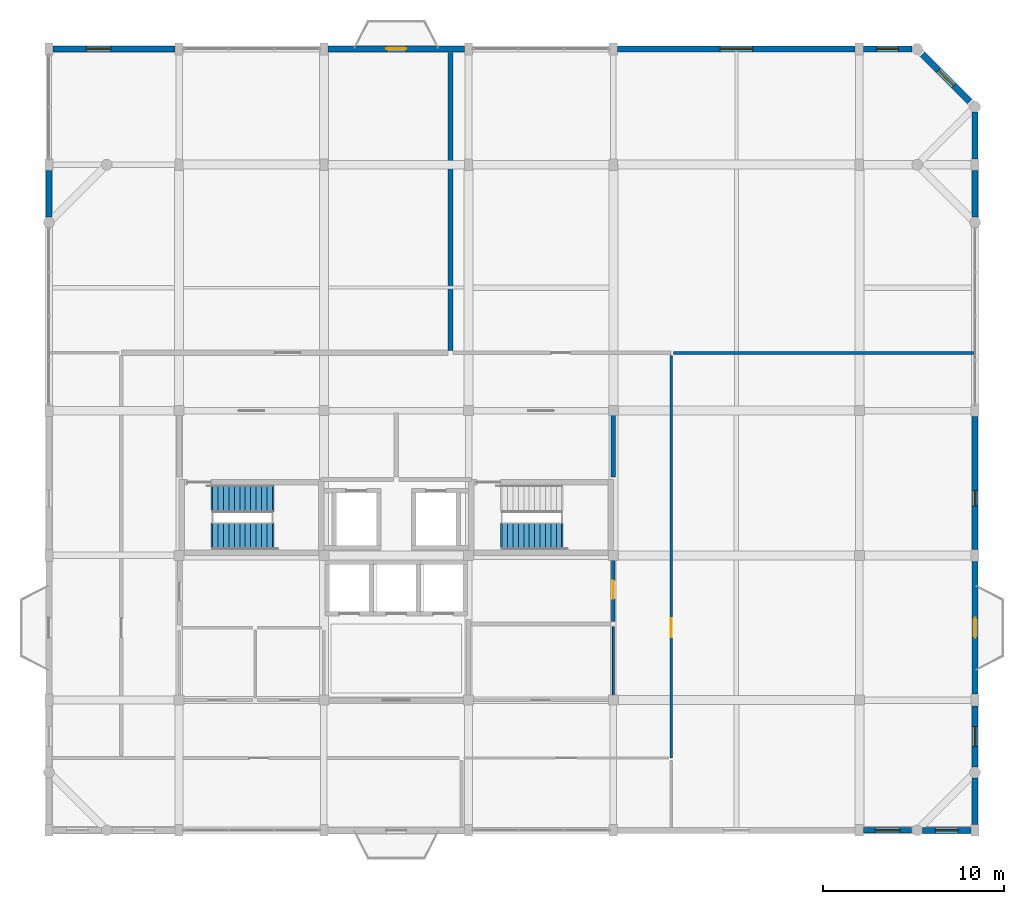
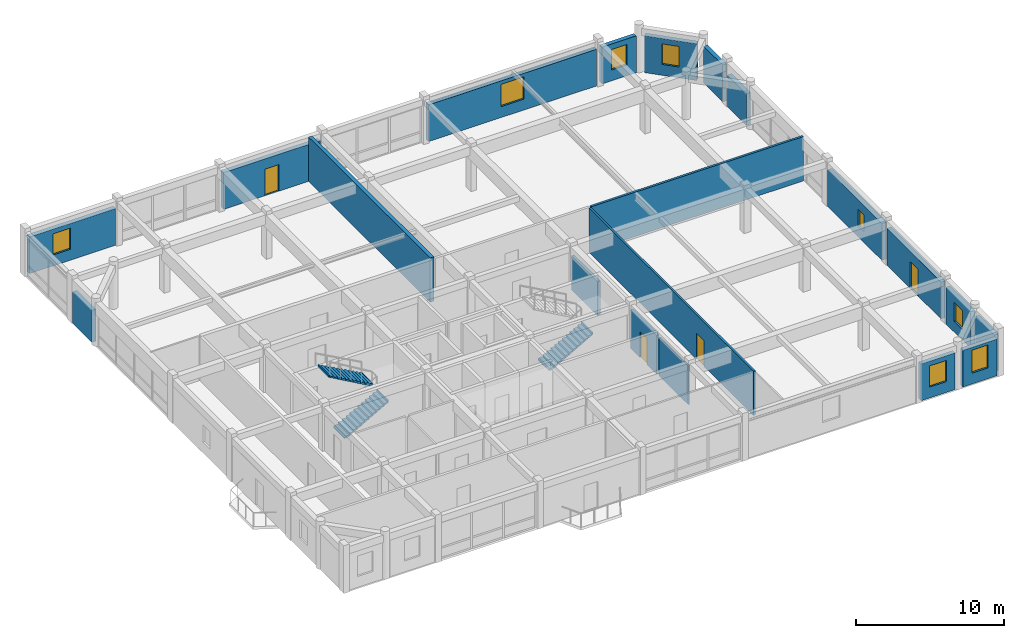
# One storey, part 11 of 13: 20 walls, 8 windows, 4 doors, 3 stair flights, 12 openings, 2 elements without a shape of their own.
"""IFC4 building model written with IfcOpenShell, lengths in metres."""

import ifcopenshell
import ifcopenshell.guid

model = None  # the IFC model being written
_history = None  # IfcOwnerHistory: only IFC2X3 demands one
_inside = {}  # id of a spatial element -> (the spatial element, [elements in it])
_under = {}  # id of a project, library or spatial element -> (it, [spatial elements below it])
_declared = {}  # id of a project -> (the project, [libraries it declares])
_typed = {}  # id of a type object -> (the type object, [elements of that type])
_made_of = {}  # id of a material, layer set ... -> (it, [elements and type objects made of it])


def new_model(schema):
    """Start an empty IFC model of exactly this schema.

    Asked for "IFC4X3", IfcOpenShell would pick the latest addendum, in which some entities
    have other attributes; the version numbers below select the first issue.
    IFC2X3 requires an IfcOwnerHistory on every rooted entity: one is made here for all.
    """
    global model, _history
    if schema == "IFC4X3":
        model = ifcopenshell.file(schema_version=(4, 3, 0, 0))
    else:
        model = ifcopenshell.file(schema=schema)
    _inside.clear()
    _under.clear()
    _declared.clear()
    _typed.clear()
    _made_of.clear()
    _history = None
    if model.schema == "IFC2X3":
        org = make("IfcOrganization", Name="unknown")
        user = make(
            "IfcPersonAndOrganization",
            ThePerson=make("IfcPerson", FamilyName="unknown"),
            TheOrganization=org,
        )
        app = make(
            "IfcApplication",
            ApplicationDeveloper=org,
            Version="unknown",
            ApplicationFullName="unknown",
            ApplicationIdentifier="unknown",
        )
        _history = make(
            "IfcOwnerHistory",
            OwningUser=user,
            OwningApplication=app,
            ChangeAction="ADDED",
            CreationDate=0,
        )
    return model


def make(cls, **values):
    """One entity of the class cls with the attributes given. An attribute that is None is left unset."""
    return model.create_entity(
        cls, **{name: value for name, value in values.items() if value is not None}
    )


def rooted(cls, **values):
    """An entity with a GlobalId (a new one), such as an element, a storey or a relation."""
    return make(cls, GlobalId=ifcopenshell.guid.new(), OwnerHistory=_history, **values)


def si_unit(unit_type, name, prefix=None):
    """IfcSIUnit, for example si_unit("LENGTHUNIT", "METRE", prefix="MILLI")."""
    return make("IfcSIUnit", UnitType=unit_type, Prefix=prefix, Name=name)


def assignment(units):
    """IfcUnitAssignment: the units of a project."""
    return None if units is None else make("IfcUnitAssignment", Units=units)


def point(xyz):
    """IfcCartesianPoint."""
    return None if xyz is None else make("IfcCartesianPoint", Coordinates=xyz)


def direction(xyz):
    """IfcDirection."""
    return None if xyz is None else make("IfcDirection", DirectionRatios=xyz)


def frame(location, z_axis=None, x_axis=None):
    """IfcAxis2Placement3D, a coordinate frame: its origin and axes. An axis left out is left unset."""
    return make(
        "IfcAxis2Placement3D",
        Location=point(location),
        Axis=direction(z_axis),
        RefDirection=direction(x_axis),
    )


def frame_2d(location, x_axis=None):
    """IfcAxis2Placement2D, a coordinate frame in the plane: its origin and x axis."""
    return make(
        "IfcAxis2Placement2D", Location=point(location), RefDirection=direction(x_axis)
    )


def origin():
    """The frame at (0, 0, 0) with its axes left unset."""
    return frame((0.0, 0.0, 0.0))


def place(relative_to, where):
    """IfcLocalPlacement: puts the frame where relative to a parent placement (None: the world)."""
    return make(
        "IfcLocalPlacement", PlacementRelTo=relative_to, RelativePlacement=where
    )


def context(
    kind, dimensions, precision=None, world=None, true_north=None, identifier=None
):
    """IfcGeometricRepresentationContext, for example the 3D "Model" context."""
    return make(
        "IfcGeometricRepresentationContext",
        ContextIdentifier=identifier,
        ContextType=kind,
        CoordinateSpaceDimension=dimensions,
        Precision=precision,
        WorldCoordinateSystem=world,
        TrueNorth=true_north,
    )


def subcontext(parent, identifier, kind, view, scale=None):
    """IfcGeometricRepresentationSubContext, for example "Body" below "Model"."""
    return make(
        "IfcGeometricRepresentationSubContext",
        ContextIdentifier=identifier,
        ContextType=kind,
        ParentContext=parent,
        TargetScale=scale,
        TargetView=view,
    )


def project(units=None, contexts=None):
    """IfcProject with its units and contexts."""
    return rooted(
        "IfcProject",
        Name="project",
        RepresentationContexts=contexts,
        UnitsInContext=assignment(units),
    )


def spatial(cls, under=None, at=None, **own):
    """A site, building, storey or space (cls), placed at a placement, below another one or the project."""
    s = rooted(cls, ObjectPlacement=at, **own)
    if under is not None:
        _under.setdefault(under.id(), (under, []))[1].append(s)
    return s


def polyline(points):
    """IfcPolyline through the points."""
    return make("IfcPolyline", Points=[point(p) for p in points])


def profile(cls, at=None, kind="AREA", **sizes):
    """A parametric profile (cls). Its sizes go by their IFC names, for example OverallWidth=200.0."""
    return make(cls, ProfileType=kind, Position=at, **sizes)


def rectangle(**sizes):
    """IfcRectangleProfileDef."""
    return profile("IfcRectangleProfileDef", **sizes)


def outline(outer, holes=None, kind="AREA"):
    """IfcArbitraryClosedProfileDef: a profile drawn as a closed curve; with holes, ...WithVoids."""
    if holes is None:
        return make("IfcArbitraryClosedProfileDef", ProfileType=kind, OuterCurve=outer)
    return make(
        "IfcArbitraryProfileDefWithVoids",
        ProfileType=kind,
        OuterCurve=outer,
        InnerCurves=holes,
    )


def extrude(swept, where, along, depth):
    """IfcExtrudedAreaSolid: the profile swept, set in the frame where, extruded along a direction by depth."""
    return make(
        "IfcExtrudedAreaSolid",
        SweptArea=swept,
        Position=where,
        ExtrudedDirection=direction(along),
        Depth=depth,
    )


def shape(context_of_items, identifier, shape_type, items):
    """IfcShapeRepresentation: the items that make up one representation, for example the "Body"."""
    return make(
        "IfcShapeRepresentation",
        ContextOfItems=context_of_items,
        RepresentationIdentifier=identifier,
        RepresentationType=shape_type,
        Items=items,
    )


def material(Name=None, Category=None):
    """IfcMaterial."""
    return make("IfcMaterial", Name=Name, Category=Category)


def layer(
    of_material, thickness, ventilated=None, Name=None, Category=None, Priority=None
):
    """IfcMaterialLayer: one layer of a wall or slab, of a material (None: an air gap)."""
    return make(
        "IfcMaterialLayer",
        Material=of_material,
        LayerThickness=thickness,
        IsVentilated=ventilated,
        Name=Name,
        Category=Category,
        Priority=Priority,
    )


def layer_set(layers, Name=None):
    """IfcMaterialLayerSet."""
    return make("IfcMaterialLayerSet", MaterialLayers=layers, LayerSetName=Name)


def made_of(thing, what):
    """Note that an element or type object is made of a material, layer set ...; save() writes the relation."""
    if what is not None:
        _made_of.setdefault(what.id(), (what, []))[1].append(thing)
    return thing


def type_object(cls, material=None, **own):
    """A type object (cls), such as IfcWallType, which elements share."""
    return made_of(rooted(cls, **own), material)


def element(
    cls,
    number,
    at=None,
    inside=None,
    cuts=None,
    type_object=None,
    material=None,
    context=None,
    identifier="Body",
    shape_type=None,
    held_by="IfcProductDefinitionShape",
    body=None,
    shapes=None,
    **own,
):
    """One element of the class cls, such as IfcWall. Its Tag is "e" and its number.

    at: its placement. inside: the storey or other place that contains it. cuts: it is an
    opening in that element (IfcRelVoidsElement). A single representation is given by context,
    identifier, shape_type and body (its items); several are given by shapes. held_by: the class
    of the entity that holds the representations. save() writes the other relations.
    """
    e = rooted(cls, Tag="e%d" % number, ObjectPlacement=at, **own)
    if body is not None:
        shapes = [shape(context, identifier, shape_type, body)]
    if shapes is not None:
        e.Representation = make(held_by, Representations=shapes)
    if inside is not None:
        _inside.setdefault(inside.id(), (inside, []))[1].append(e)
    if cuts is not None:
        rooted(
            "IfcRelVoidsElement", RelatingBuildingElement=cuts, RelatedOpeningElement=e
        )
    if type_object is not None:
        _typed.setdefault(type_object.id(), (type_object, []))[1].append(e)
    return made_of(e, material)


def fill(opening, filler):
    """IfcRelFillsElement: the door or window that sits in an opening."""
    return rooted(
        "IfcRelFillsElement",
        RelatingOpeningElement=opening,
        RelatedBuildingElement=filler,
    )


def aggregate(whole, parts):
    """IfcRelAggregates: a whole, such as a stair, and the parts it consists of."""
    return rooted("IfcRelAggregates", RelatingObject=whole, RelatedObjects=parts)


def save(model, path):
    """Write the relations noted so far, then the file.

    IfcRelAggregates (storeys below a building ...), IfcRelContainedInSpatialStructure (elements
    in a storey), IfcRelDefinesByType, IfcRelAssociatesMaterial and IfcRelDeclares: one each for
    every whole, place, type object, material and project.
    """
    for whole, parts in _under.values():
        aggregate(whole, parts)
    for where, things in _inside.values():
        rooted(
            "IfcRelContainedInSpatialStructure",
            RelatedElements=things,
            RelatingStructure=where,
        )
    for kind, things in _typed.values():
        rooted("IfcRelDefinesByType", RelatedObjects=things, RelatingType=kind)
    for what, things in _made_of.values():
        rooted("IfcRelAssociatesMaterial", RelatedObjects=things, RelatingMaterial=what)
    for by, libraries in _declared.values():
        rooted("IfcRelDeclares", RelatingContext=by, RelatedDefinitions=libraries)
    model.write(path)


model = new_model("IFC4")

# Units and contexts
model_context = context("Model", 3, precision=1e-05, world=origin(), true_north=direction((0.0, 1.0)))
body_context = subcontext(model_context, "Body", "Model", "MODEL_VIEW")
ifc_project = project(units=[si_unit("LENGTHUNIT", "METRE"), si_unit("AREAUNIT", "SQUARE_METRE"), si_unit("VOLUMEUNIT", "CUBIC_METRE"), si_unit("PLANEANGLEUNIT", "RADIAN"), si_unit("MASSUNIT", "GRAM", prefix="KILO")], contexts=[model_context])

# Site, building, storey
site_placement = place(None, origin())
site = spatial("IfcSite", under=ifc_project, at=site_placement, CompositionType="ELEMENT")
building_placement = place(site_placement, origin())
building = spatial("IfcBuilding", under=site, at=building_placement, Name="Vellmiral Cinema and Media Centre", CompositionType="ELEMENT")
storey_placement = place(building_placement, frame((0.0, 0.0, 58.699951171875)))
storey = spatial("IfcBuildingStorey", under=building, at=storey_placement, Name="L14", CompositionType="ELEMENT", Elevation=58.699951171875)

# Wall
ifc_material_1 = material(Name="Calcium-Silicate Masonry Blockwork", Category="masonry")
ifc_layer_1 = layer(ifc_material_1, 0.10009765625, Name="Calcium-Silicate Masonry Blockwork", Category="masonry")
ifc_material_2 = material(Name="Mineral Wool Acoustic Insulation", Category="insulation")
ifc_layer_2 = layer(ifc_material_2, 0.090087890625, Name="Mineral Wool Acoustic Insulation", Category="insulation")
ifc_layer_3 = layer(ifc_material_1, 0.10009765625, Name="Calcium-Silicate Masonry Blockwork", Category="masonry")
ifc_layer_set_1 = layer_set([ifc_layer_1, ifc_layer_2, ifc_layer_3], Name="Calcium-Silicate Masonry Blockwork")
wall_type_1 = type_object("IfcWallType", Name="WL-AC-290", PredefinedType="SOLIDWALL", material=ifc_layer_set_1)
wall_1_placement = place(storey_placement, frame((139.0, 98.5400390625, 0.0), z_axis=(0.0, 0.0, 1.0), x_axis=(0.0, 1.0, 0.0)))
element("IfcWall", 1, at=wall_1_placement, inside=storey, type_object=wall_type_1, Name="Executive Documentary Screening Room Wall E", PredefinedType="SOLIDWALL", context=body_context, shape_type="SweptSolid", body=[
    extrude(rectangle(XDim=16.474853515625, YDim=0.2900390625, at=frame_2d((8.2373046875, 0.0))), origin(), (0.0, 0.0, 1.0), 3.670166015625),
])

# Wall, opening, door
ifc_material_3 = material(Name="Concrete C40/50", Category="concrete")
ifc_layer_4 = layer(ifc_material_3, 0.2099609375, Name="Concrete C40/50")
ifc_layer_set_2 = layer_set([ifc_layer_4], Name="Concrete C40/50")
wall_type_2 = type_object("IfcWallType", Name="WL-COMP-210", PredefinedType="SOLIDWALL", material=ifc_layer_set_2)
wall_2_placement = place(storey_placement, frame((148.0, 83.5400390625, 0.0), z_axis=(0.0, 0.0, 1.0), x_axis=(0.0, 1.0, 0.0)))
wall_2 = element("IfcWall", 2, at=wall_2_placement, inside=storey, type_object=wall_type_2, Name="Mechanical Smoke Riser Room Wall E", PredefinedType="SOLIDWALL", context=body_context, shape_type="SweptSolid", body=[
    extrude(rectangle(XDim=3.52001953125, YDim=0.2099609375, at=frame_2d((1.760009765625, 0.0))), origin(), (0.0, 0.0, 1.0), 3.195068359375),
])
opening_1_placement = place(wall_2_placement, frame((1.260009765625, 0.0, 0.0)))
opening_1 = element("IfcOpeningElement", 3, at=opening_1_placement, cuts=wall_2, Name="Opening D-FD30B", PredefinedType="OPENING", context=body_context, shape_type="SweptSolid", body=[
    extrude(rectangle(XDim=1.0, YDim=2.14990234375, at=frame_2d((0.5, 1.074951171875))), frame((0.0, 0.116943359375, 0.0), z_axis=(0.0, -1.0, 0.0), x_axis=(1.0, 0.0, 0.0)), (0.0, 0.0, 1.0), 0.23388671875),
])
ifc_material_4 = material(Name="Steel Riser Fire Door", Category="steel")
door_type_1 = type_object("IfcDoorType", Name="DR-FD30-1000x2150", OperationType="NOTDEFINED", PredefinedType="DOOR", material=ifc_material_4)
door_1_placement = place(opening_1_placement, origin())
door_1 = element("IfcDoor", 4, at=door_1_placement, inside=storey, type_object=door_type_1, Name="Mechanical Smoke Riser Room Door", OperationType="SINGLE_SWING_LEFT", OverallHeight=2.14990234375, OverallWidth=1.0, PredefinedType="DOOR", context=body_context, shape_type="SweptSolid", body=[
    extrude(rectangle(XDim=1.0, YDim=2.14990234375, at=frame_2d((0.5, 1.074951171875))), frame((0.0, 0.02490234375, 0.0), z_axis=(0.0, -1.0, 0.0), x_axis=(1.0, 0.0, 0.0)), (0.0, 0.0, 1.0), 0.050048828125),
])
fill(opening_1, door_1)

# Wall, opening, window
ifc_material_5 = material(Name="Polychrome Glazed Ceramic Cladding", Category="masonry")
ifc_layer_5 = layer(ifc_material_5, 0.320068359375, Name="Polychrome Glazed Ceramic Cladding")
ifc_layer_set_3 = layer_set([ifc_layer_5], Name="Polychrome Glazed Ceramic Cladding")
wall_type_3 = type_object("IfcWallType", Name="WL-EXT-BRICK-320", PredefinedType="SOLIDWALL", material=ifc_layer_set_3)
wall_3_placement = place(storey_placement, frame((161.824951171875, 72.0, 0.0), z_axis=(0.0, 0.0, 1.0), x_axis=(1.0, 0.0, 0.0)))
wall_3 = element("IfcWall", 5, at=wall_3_placement, inside=storey, type_object=wall_type_3, Name="Exterior Facade Wall L14-007", PredefinedType="SOLIDWALL", context=body_context, shape_type="SweptSolid", body=[
    extrude(rectangle(XDim=2.675048828125, YDim=0.320068359375, at=frame_2d((1.33740234375, 0.0))), origin(), (0.0, 0.0, 1.0), 3.03515625),
])
opening_2_placement = place(wall_3_placement, frame((0.66259765625, 0.0, 0.89990234375)))
opening_2 = element("IfcOpeningElement", 6, at=opening_2_placement, cuts=wall_3, Name="Opening WN-08", PredefinedType="OPENING", context=body_context, shape_type="SweptSolid", body=[
    extrude(rectangle(XDim=1.35009765625, YDim=1.75, at=frame_2d((0.675048828125, 0.875))), frame((0.0, 0.171875, 0.0), z_axis=(0.0, -1.0, 0.0), x_axis=(1.0, 0.0, 0.0)), (0.0, 0.0, 1.0), 0.343994140625),
])
ifc_material_6 = material(Name="Thermally Broken Aluminium Triple Glazing", Category="aluminium")
window_type_1 = type_object("IfcWindowType", Name="WN-1350x1750", PartitioningType="SINGLE_PANEL", PredefinedType="WINDOW", material=ifc_material_6)
window_1_placement = place(opening_2_placement, origin())
window_1 = element("IfcWindow", 7, at=window_1_placement, inside=storey, type_object=window_type_1, Name="Window L14-007", OverallHeight=1.75, OverallWidth=1.35009765625, PartitioningType="SINGLE_PANEL", PredefinedType="WINDOW", context=body_context, shape_type="SweptSolid", body=[
    extrude(rectangle(XDim=1.35009765625, YDim=1.75, at=frame_2d((0.675048828125, 0.875))), frame((0.0, 0.030029296875, 0.0), z_axis=(0.0, -1.0, 0.0), x_axis=(1.0, 0.0, 0.0)), (0.0, 0.0, 1.0), 0.06005859375),
])
fill(opening_2, window_1)

# Wall
wall_4_placement = place(storey_placement, frame((168.0, 72.324951171875, 0.0), z_axis=(0.0, 0.0, 1.0), x_axis=(0.0, 1.0, 0.0)))
element("IfcWall", 8, at=wall_4_placement, inside=storey, type_object=wall_type_3, Name="Exterior Facade Wall L14-009", PredefinedType="SOLIDWALL", context=body_context, shape_type="SweptSolid", body=[
    extrude(rectangle(XDim=2.574951171875, YDim=0.320068359375, at=frame_2d((1.28759765625, 0.0))), origin(), (0.0, 0.0, 1.0), 3.03515625),
])

# Wall, opening, door
wall_5_placement = place(storey_placement, frame((168.0, 79.52490234375, 0.0), z_axis=(0.0, 0.0, 1.0), x_axis=(0.0, 1.0, 0.0)))
wall_5 = element("IfcWall", 9, at=wall_5_placement, inside=storey, type_object=wall_type_3, Name="Exterior Facade Wall L14-011", PredefinedType="SOLIDWALL", context=body_context, shape_type="SweptSolid", body=[
    extrude(rectangle(XDim=7.35009765625, YDim=0.320068359375, at=frame_2d((3.675048828125, 0.0))), origin(), (0.0, 0.0, 1.0), 3.050048828125),
])
opening_3_placement = place(wall_5_placement, frame((3.125, 0.0, 0.0)))
opening_3 = element("IfcOpeningElement", 10, at=opening_3_placement, cuts=wall_5, Name="Opening DE-06", PredefinedType="OPENING", context=body_context, shape_type="SweptSolid", body=[
    extrude(rectangle(XDim=1.10009765625, YDim=2.199951171875, at=frame_2d((0.550048828125, 1.10009765625))), frame((0.0, 0.171875, 0.0), z_axis=(0.0, -1.0, 0.0), x_axis=(1.0, 0.0, 0.0)), (0.0, 0.0, 1.0), 0.343994140625),
])
ifc_material_7 = material(Name="Thermally Broken Glazed Aluminium and Bronze Door", Category="aluminium")
door_type_2 = type_object("IfcDoorType", Name="DR-MIRA-1100x2200", OperationType="NOTDEFINED", PredefinedType="DOOR", material=ifc_material_7)
door_2_placement = place(opening_3_placement, frame((1.10009765625, 0.0, 0.0), z_axis=(0.0, 0.0, 1.0), x_axis=(-1.0, 0.0, 0.0)))
door_2 = element("IfcDoor", 11, at=door_2_placement, inside=storey, type_object=door_type_2, Name="Mirador Balcony Door L14-E", OperationType="SINGLE_SWING_RIGHT", OverallHeight=2.199951171875, OverallWidth=1.10009765625, PredefinedType="DOOR", context=body_context, shape_type="SweptSolid", body=[
    extrude(rectangle(XDim=1.10009765625, YDim=2.199951171875, at=frame_2d((0.550048828125, 1.10009765625))), frame((0.0, 0.02490234375, 0.0), z_axis=(0.0, -1.0, 0.0), x_axis=(1.0, 0.0, 0.0)), (0.0, 0.0, 1.0), 0.050048828125),
])
fill(opening_3, door_2)

# Wall
wall_6_placement = place(storey_placement, frame((168.0, 109.125, 0.0), z_axis=(0.0, 0.0, 1.0), x_axis=(0.0, 1.0, 0.0)))
element("IfcWall", 12, at=wall_6_placement, inside=storey, type_object=wall_type_3, Name="Exterior Facade Wall L14-015", PredefinedType="SOLIDWALL", context=body_context, shape_type="SweptSolid", body=[
    extrude(rectangle(XDim=2.574951171875, YDim=0.320068359375, at=frame_2d((1.28759765625, 0.0))), origin(), (0.0, 0.0, 1.0), 3.050048828125),
])

# Wall, opening, window
wall_7_placement = place(storey_placement, frame((164.5, 115.199951171875, 0.0), z_axis=(0.0, 0.0, 1.0), x_axis=(-1.0, 0.0, 0.0)))
wall_7 = element("IfcWall", 13, at=wall_7_placement, inside=storey, type_object=wall_type_3, Name="Exterior Facade Wall L14-017", PredefinedType="SOLIDWALL", context=body_context, shape_type="SweptSolid", body=[
    extrude(rectangle(XDim=2.675048828125, YDim=0.320068359375, at=frame_2d((1.33740234375, 0.0))), origin(), (0.0, 0.0, 1.0), 3.050048828125),
])
opening_4_placement = place(wall_7_placement, frame((0.737548828125, 0.0, 0.89990234375)))
opening_4 = element("IfcOpeningElement", 14, at=opening_4_placement, cuts=wall_7, Name="Opening WN-10", PredefinedType="OPENING", context=body_context, shape_type="SweptSolid", body=[
    extrude(rectangle(XDim=1.199951171875, YDim=1.699951171875, at=frame_2d((0.60009765625, 0.85009765625))), frame((0.0, 0.171875, 0.0), z_axis=(0.0, -1.0, 0.0), x_axis=(1.0, 0.0, 0.0)), (0.0, 0.0, 1.0), 0.343994140625),
])
ifc_material_8 = material(Name="Thermally Broken Aluminium Triple Glazing", Category="aluminium")
window_type_2 = type_object("IfcWindowType", Name="WN-1200x1700", PartitioningType="SINGLE_PANEL", PredefinedType="WINDOW", material=ifc_material_8)
window_2_placement = place(opening_4_placement, origin())
window_2 = element("IfcWindow", 15, at=window_2_placement, inside=storey, type_object=window_type_2, Name="Window L14-017", OverallHeight=1.699951171875, OverallWidth=1.199951171875, PartitioningType="SINGLE_PANEL", PredefinedType="WINDOW", context=body_context, shape_type="SweptSolid", body=[
    extrude(rectangle(XDim=1.199951171875, YDim=1.699951171875, at=frame_2d((0.60009765625, 0.85009765625))), frame((0.0, 0.030029296875, 0.0), z_axis=(0.0, -1.0, 0.0), x_axis=(1.0, 0.0, 0.0)), (0.0, 0.0, 1.0), 0.06005859375),
])
fill(opening_4, window_2)

ifc_material_9 = material(Name="Vosges Red Sandstone Masonry", Category="masonry")
ifc_layer_6 = layer(ifc_material_9, 0.340087890625, Name="Vosges Red Sandstone Masonry")
ifc_layer_set_4 = layer_set([ifc_layer_6], Name="Vosges Red Sandstone Masonry")
wall_type_4 = type_object("IfcWallType", Name="WL-EXT-SAND-340", PredefinedType="SOLIDWALL", material=ifc_layer_set_4)
wall_8_placement = place(storey_placement, frame((165.10009765625, 72.0, 0.0), z_axis=(0.0, 0.0, 1.0), x_axis=(1.0, 0.0, 0.0)))
wall_8 = element("IfcWall", 16, at=wall_8_placement, inside=storey, type_object=wall_type_4, Name="Exterior Facade Wall L14-008", PredefinedType="SOLIDWALL", context=body_context, shape_type="SweptSolid", body=[
    extrude(rectangle(XDim=2.6748046875, YDim=0.340087890625, at=frame_2d((1.33740234375, 0.0))), origin(), (0.0, 0.0, 1.0), 3.03515625),
])
opening_5_placement = place(wall_8_placement, frame((0.71240234375, 0.0, 0.89990234375)))
opening_5 = element("IfcOpeningElement", 17, at=opening_5_placement, cuts=wall_8, Name="Opening WN-09", PredefinedType="OPENING", context=body_context, shape_type="SweptSolid", body=[
    extrude(rectangle(XDim=1.25, YDim=1.89990234375, at=frame_2d((0.625, 0.949951171875))), frame((0.0, 0.18212890625, 0.0), z_axis=(0.0, -1.0, 0.0), x_axis=(1.0, 0.0, 0.0)), (0.0, 0.0, 1.0), 0.364013671875),
])
ifc_material_10 = material(Name="Thermally Broken Aluminium Triple Glazing", Category="aluminium")
window_type_3 = type_object("IfcWindowType", Name="WN-1250x1900", PartitioningType="SINGLE_PANEL", PredefinedType="WINDOW", material=ifc_material_10)
window_3_placement = place(opening_5_placement, origin())
window_3 = element("IfcWindow", 18, at=window_3_placement, inside=storey, type_object=window_type_3, Name="Window L14-008", OverallHeight=1.89990234375, OverallWidth=1.25, PartitioningType="SINGLE_PANEL", PredefinedType="WINDOW", context=body_context, shape_type="SweptSolid", body=[
    extrude(rectangle(XDim=1.25, YDim=1.89990234375, at=frame_2d((0.625, 0.949951171875))), frame((0.0, 0.030029296875, 0.0), z_axis=(0.0, -1.0, 0.0), x_axis=(1.0, 0.0, 0.0)), (0.0, 0.0, 1.0), 0.06005859375),
])
fill(opening_5, window_3)

wall_9_placement = place(storey_placement, frame((168.0, 75.5, 0.0), z_axis=(0.0, 0.0, 1.0), x_axis=(0.0, 1.0, 0.0)))
wall_9 = element("IfcWall", 19, at=wall_9_placement, inside=storey, type_object=wall_type_4, Name="Exterior Facade Wall L14-010", PredefinedType="SOLIDWALL", context=body_context, shape_type="SweptSolid", body=[
    extrude(rectangle(XDim=3.375, YDim=0.340087890625, at=frame_2d((1.6875, 0.0))), origin(), (0.0, 0.0, 1.0), 3.03515625),
])
opening_6_placement = place(wall_9_placement, frame((1.137451171875, 0.0, 0.89990234375)))
opening_6 = element("IfcOpeningElement", 20, at=opening_6_placement, cuts=wall_9, Name="Opening WN-11", PredefinedType="OPENING", context=body_context, shape_type="SweptSolid", body=[
    extrude(rectangle(XDim=1.10009765625, YDim=1.550048828125, at=frame_2d((0.550048828125, 0.77490234375))), frame((0.0, 0.18212890625, 0.0), z_axis=(0.0, -1.0, 0.0), x_axis=(1.0, 0.0, 0.0)), (0.0, 0.0, 1.0), 0.364013671875),
])
ifc_material_11 = material(Name="Thermally Broken Aluminium Triple Glazing", Category="aluminium")
window_type_4 = type_object("IfcWindowType", Name="WN-1100x1550", PartitioningType="SINGLE_PANEL", PredefinedType="WINDOW", material=ifc_material_11)
window_4_placement = place(opening_6_placement, origin())
window_4 = element("IfcWindow", 21, at=window_4_placement, inside=storey, type_object=window_type_4, Name="Window L14-010", OverallHeight=1.550048828125, OverallWidth=1.10009765625, PartitioningType="SINGLE_PANEL", PredefinedType="WINDOW", context=body_context, shape_type="SweptSolid", body=[
    extrude(rectangle(XDim=1.10009765625, YDim=1.550048828125, at=frame_2d((0.550048828125, 0.77490234375))), frame((0.0, 0.030029296875, 0.0), z_axis=(0.0, -1.0, 0.0), x_axis=(1.0, 0.0, 0.0)), (0.0, 0.0, 1.0), 0.06005859375),
])
fill(opening_6, window_4)

wall_10_placement = place(storey_placement, frame((168.0, 87.52490234375, 0.0), z_axis=(0.0, 0.0, 1.0), x_axis=(0.0, 1.0, 0.0)))
wall_10 = element("IfcWall", 22, at=wall_10_placement, inside=storey, type_object=wall_type_4, Name="Exterior Facade Wall L14-012", PredefinedType="SOLIDWALL", context=body_context, shape_type="SweptSolid", body=[
    extrude(rectangle(XDim=7.35009765625, YDim=0.340087890625, at=frame_2d((3.675048828125, 0.0))), origin(), (0.0, 0.0, 1.0), 3.050048828125),
])
opening_7_placement = place(wall_10_placement, frame((2.39990234375, 0.0, 0.89990234375)))
opening_7 = element("IfcOpeningElement", 23, at=opening_7_placement, cuts=wall_10, Name="Opening WN-13", PredefinedType="OPENING", context=body_context, shape_type="SweptSolid", body=[
    extrude(rectangle(XDim=0.85009765625, YDim=1.35009765625, at=frame_2d((0.425048828125, 0.675048828125))), frame((0.0, 0.18212890625, 0.0), z_axis=(0.0, -1.0, 0.0), x_axis=(1.0, 0.0, 0.0)), (0.0, 0.0, 1.0), 0.364013671875),
])
ifc_material_12 = material(Name="Thermally Broken Aluminium Triple Glazing", Category="aluminium")
window_type_5 = type_object("IfcWindowType", Name="WN-0850x1350", PartitioningType="SINGLE_PANEL", PredefinedType="WINDOW", material=ifc_material_12)
window_5_placement = place(opening_7_placement, origin())
window_5 = element("IfcWindow", 24, at=window_5_placement, inside=storey, type_object=window_type_5, Name="Window L14-012", OverallHeight=1.35009765625, OverallWidth=0.85009765625, PartitioningType="SINGLE_PANEL", PredefinedType="WINDOW", context=body_context, shape_type="SweptSolid", body=[
    extrude(rectangle(XDim=0.85009765625, YDim=1.35009765625, at=frame_2d((0.425048828125, 0.675048828125))), frame((0.0, 0.030029296875, 0.0), z_axis=(0.0, -1.0, 0.0), x_axis=(1.0, 0.0, 0.0)), (0.0, 0.0, 1.0), 0.06005859375),
])
fill(opening_7, window_5)

# Wall
wall_11_placement = place(storey_placement, frame((168.0, 105.89990234375, 0.0), z_axis=(0.0, 0.0, 1.0), x_axis=(0.0, 1.0, 0.0)))
element("IfcWall", 25, at=wall_11_placement, inside=storey, type_object=wall_type_4, Name="Exterior Facade Wall L14-014", PredefinedType="SOLIDWALL", context=body_context, shape_type="SweptSolid", body=[
    extrude(rectangle(XDim=2.5751953125, YDim=0.340087890625, at=frame_2d((1.28759765625, 0.0))), origin(), (0.0, 0.0, 1.0), 2.635009765625),
])

# Wall, opening, window
wall_12_placement = place(storey_placement, frame((167.699951171875, 112.300048828125, 0.0), z_axis=(0.0, 0.0, 1.0), x_axis=(-0.707106781187, 0.707106781187, 0.0)))
wall_12 = element("IfcWall", 26, at=wall_12_placement, inside=storey, type_object=wall_type_4, Name="Exterior Facade Wall L14-016", PredefinedType="SOLIDWALL", context=body_context, shape_type="SweptSolid", body=[
    extrude(rectangle(XDim=3.6767578125, YDim=0.340087890625, at=frame_2d((1.83837890625, 0.0))), origin(), (0.0, 0.0, 1.0), 3.045166015625),
])
opening_8_placement = place(wall_12_placement, frame((1.238525390625, 0.0, 0.89990234375)))
opening_8 = element("IfcOpeningElement", 27, at=opening_8_placement, cuts=wall_12, Name="Opening WN-10", PredefinedType="OPENING", context=body_context, shape_type="SweptSolid", body=[
    extrude(rectangle(XDim=1.199951171875, YDim=1.699951171875, at=frame_2d((0.60009765625, 0.85009765625))), frame((0.0, 0.18212890625, 0.0), z_axis=(0.0, -1.0, 0.0), x_axis=(1.0, 0.0, 0.0)), (0.0, 0.0, 1.0), 0.364013671875),
])
window_6_placement = place(opening_8_placement, origin())
window_6 = element("IfcWindow", 28, at=window_6_placement, inside=storey, type_object=window_type_2, Name="Window L14-016", OverallHeight=1.699951171875, OverallWidth=1.199951171875, PartitioningType="SINGLE_PANEL", PredefinedType="WINDOW", context=body_context, shape_type="SweptSolid", body=[
    extrude(rectangle(XDim=1.199951171875, YDim=1.699951171875, at=frame_2d((0.60009765625, 0.85009765625))), frame((0.0, 0.030029296875, 0.0), z_axis=(0.0, -1.0, 0.0), x_axis=(1.0, 0.0, 0.0)), (0.0, 0.0, 1.0), 0.06005859375),
])
fill(opening_8, window_6)

wall_13_placement = place(storey_placement, frame((161.375, 115.199951171875, 0.0), z_axis=(0.0, 0.0, 1.0), x_axis=(-1.0, 0.0, 0.0)))
wall_13 = element("IfcWall", 29, at=wall_13_placement, inside=storey, type_object=wall_type_4, Name="Exterior Facade Wall L14-018", PredefinedType="SOLIDWALL", context=body_context, shape_type="SweptSolid", body=[
    extrude(rectangle(XDim=13.14990234375, YDim=0.340087890625, at=frame_2d((6.574951171875, 0.0))), origin(), (0.0, 0.0, 1.0), 3.03515625),
])
opening_9_placement = place(wall_13_placement, frame((5.675048828125, 0.0, 0.89990234375)))
opening_9 = element("IfcOpeningElement", 30, at=opening_9_placement, cuts=wall_13, Name="Opening WN-04", PredefinedType="OPENING", context=body_context, shape_type="SweptSolid", body=[
    extrude(rectangle(XDim=1.800048828125, YDim=1.85009765625, at=frame_2d((0.89990234375, 0.925048828125))), frame((0.0, 0.18212890625, 0.0), z_axis=(0.0, -1.0, 0.0), x_axis=(1.0, 0.0, 0.0)), (0.0, 0.0, 1.0), 0.364013671875),
])
ifc_material_13 = material(Name="Thermally Broken Aluminium Triple Glazing", Category="aluminium")
window_type_6 = type_object("IfcWindowType", Name="WN-1800x1850", PartitioningType="DOUBLE_PANEL_VERTICAL", PredefinedType="WINDOW", material=ifc_material_13)
window_7_placement = place(opening_9_placement, origin())
window_7 = element("IfcWindow", 31, at=window_7_placement, inside=storey, type_object=window_type_6, Name="Window L14-018", OverallHeight=1.85009765625, OverallWidth=1.800048828125, PartitioningType="DOUBLE_PANEL_VERTICAL", PredefinedType="WINDOW", context=body_context, shape_type="SweptSolid", body=[
    extrude(rectangle(XDim=1.800048828125, YDim=1.85009765625, at=frame_2d((0.89990234375, 0.925048828125))), frame((0.0, 0.030029296875, 0.0), z_axis=(0.0, -1.0, 0.0), x_axis=(1.0, 0.0, 0.0)), (0.0, 0.0, 1.0), 0.06005859375),
])
fill(opening_9, window_7)

# Wall, opening, door
wall_14_placement = place(storey_placement, frame((139.77490234375, 115.199951171875, 0.0), z_axis=(0.0, 0.0, 1.0), x_axis=(-1.0, 0.0, 0.0)))
wall_14 = element("IfcWall", 32, at=wall_14_placement, inside=storey, type_object=wall_type_4, Name="Exterior Facade Wall L14-020", PredefinedType="SOLIDWALL", context=body_context, shape_type="SweptSolid", body=[
    extrude(rectangle(XDim=7.5498046875, YDim=0.340087890625, at=frame_2d((3.77490234375, 0.0))), origin(), (0.0, 0.0, 1.0), 3.050048828125),
])
opening_10_placement = place(wall_14_placement, frame((3.22509765625, 0.0, 0.0)))
opening_10 = element("IfcOpeningElement", 33, at=opening_10_placement, cuts=wall_14, Name="Opening DE-06", PredefinedType="OPENING", context=body_context, shape_type="SweptSolid", body=[
    extrude(rectangle(XDim=1.10009765625, YDim=2.199951171875, at=frame_2d((0.550048828125, 1.10009765625))), frame((0.0, 0.18212890625, 0.0), z_axis=(0.0, -1.0, 0.0), x_axis=(1.0, 0.0, 0.0)), (0.0, 0.0, 1.0), 0.364013671875),
])
door_3_placement = place(opening_10_placement, frame((1.10009765625, 0.0, 0.0), z_axis=(0.0, 0.0, 1.0), x_axis=(-1.0, 0.0, 0.0)))
door_3 = element("IfcDoor", 34, at=door_3_placement, inside=storey, type_object=door_type_2, Name="Mirador Balcony Door L14-N", OperationType="SINGLE_SWING_LEFT", OverallHeight=2.199951171875, OverallWidth=1.10009765625, PredefinedType="DOOR", context=body_context, shape_type="SweptSolid", body=[
    extrude(rectangle(XDim=1.10009765625, YDim=2.199951171875, at=frame_2d((0.550048828125, 1.10009765625))), frame((0.0, 0.02490234375, 0.0), z_axis=(0.0, -1.0, 0.0), x_axis=(1.0, 0.0, 0.0)), (0.0, 0.0, 1.0), 0.050048828125),
])
fill(opening_10, door_3)

# Wall, opening, window
wall_15_placement = place(storey_placement, frame((123.77490234375, 115.199951171875, 0.0), z_axis=(0.0, 0.0, 1.0), x_axis=(-1.0, 0.0, 0.0)))
wall_15 = element("IfcWall", 35, at=wall_15_placement, inside=storey, type_object=wall_type_4, Name="Exterior Facade Wall L14-022", PredefinedType="SOLIDWALL", context=body_context, shape_type="SweptSolid", body=[
    extrude(rectangle(XDim=6.75, YDim=0.340087890625, at=frame_2d((3.375, 0.0))), origin(), (0.0, 0.0, 1.0), 3.03515625),
])
opening_11_placement = place(wall_15_placement, frame((3.550048828125, 0.0, 0.89990234375)))
opening_11 = element("IfcOpeningElement", 36, at=opening_11_placement, cuts=wall_15, Name="Opening WN-08", PredefinedType="OPENING", context=body_context, shape_type="SweptSolid", body=[
    extrude(rectangle(XDim=1.35009765625, YDim=1.75, at=frame_2d((0.675048828125, 0.875))), frame((0.0, 0.18212890625, 0.0), z_axis=(0.0, -1.0, 0.0), x_axis=(1.0, 0.0, 0.0)), (0.0, 0.0, 1.0), 0.364013671875),
])
window_8_placement = place(opening_11_placement, origin())
window_8 = element("IfcWindow", 37, at=window_8_placement, inside=storey, type_object=window_type_1, Name="Window L14-022", OverallHeight=1.75, OverallWidth=1.35009765625, PartitioningType="SINGLE_PANEL", PredefinedType="WINDOW", context=body_context, shape_type="SweptSolid", body=[
    extrude(rectangle(XDim=1.35009765625, YDim=1.75, at=frame_2d((0.675048828125, 0.875))), frame((0.0, 0.030029296875, 0.0), z_axis=(0.0, -1.0, 0.0), x_axis=(1.0, 0.0, 0.0)), (0.0, 0.0, 1.0), 0.06005859375),
])
fill(opening_11, window_8)

# Walls
wall_16_placement = place(storey_placement, frame((116.800048828125, 108.47509765625, 0.0), z_axis=(0.0, 0.0, 1.0), x_axis=(0.0, -1.0, 0.0)))
element("IfcWall", 38, at=wall_16_placement, inside=storey, type_object=wall_type_4, Name="Exterior Facade Wall L14-024", PredefinedType="SOLIDWALL", context=body_context, shape_type="SweptSolid", body=[
    extrude(rectangle(XDim=2.5751953125, YDim=0.340087890625, at=frame_2d((1.28759765625, 0.0))), origin(), (0.0, 0.0, 1.0), 2.635009765625),
])
ifc_material_14 = material(Name="Concrete C40/50", Category="concrete")
ifc_layer_7 = layer(ifc_material_14, 0.22998046875, Name="Concrete C40/50")
ifc_layer_set_5 = layer_set([ifc_layer_7], Name="Concrete C40/50")
wall_type_5 = type_object("IfcWallType", Name="WL-FFL-230", PredefinedType="SOLIDWALL", material=ifc_layer_set_5)
wall_17_placement = place(storey_placement, frame((148.0, 91.5400390625, 0.0), z_axis=(0.0, 0.0, 1.0), x_axis=(0.0, 1.0, 0.0)))
element("IfcWall", 39, at=wall_17_placement, inside=storey, type_object=wall_type_5, Name="Firefighting Lobby East Wall E", PredefinedType="SOLIDWALL", context=body_context, shape_type="SweptSolid", body=[
    extrude(rectangle(XDim=3.52001953125, YDim=0.22998046875, at=frame_2d((1.760009765625, 0.0))), origin(), (0.0, 0.0, 1.0), 2.795166015625),
])
ifc_material_15 = material(Name="Gypsum Plasterboard")
ifc_layer_8 = layer(ifc_material_15, 0.02490234375, Name="Gypsum Plasterboard", Category="gypsum")
ifc_material_16 = material(Name="Mineral Wool Acoustic Insulation", Category="insulation")
ifc_layer_9 = layer(ifc_material_16, 0.06005859375, Name="Mineral Wool Acoustic Insulation", Category="insulation")
ifc_layer_10 = layer(ifc_material_15, 0.02490234375, Name="Gypsum Plasterboard", Category="gypsum")
ifc_layer_set_6 = layer_set([ifc_layer_8, ifc_layer_9, ifc_layer_10], Name="Gypsum Plasterboard")
wall_type_6 = type_object("IfcWallType", Name="WL-PART-110", PredefinedType="PARTITIONING", material=ifc_layer_set_6)
wall_18_placement = place(storey_placement, frame((148.0, 79.340087890625, 0.0), z_axis=(0.0, 0.0, 1.0), x_axis=(0.0, 1.0, 0.0)))
element("IfcWall", 40, at=wall_18_placement, inside=storey, type_object=wall_type_6, Name="Cleaner and Media Supply Store Wall E", PredefinedType="PARTITIONING", context=body_context, shape_type="SweptSolid", body=[
    extrude(rectangle(XDim=3.919921875, YDim=0.110107421875, at=frame_2d((1.9599609375, 0.0))), origin(), (0.0, 0.0, 1.0), 3.195068359375),
])

# Wall, opening, door
ifc_material_17 = material(Name="Gypsum Plasterboard")
ifc_layer_11 = layer(ifc_material_17, 0.02490234375, Name="Gypsum Plasterboard", Category="gypsum")
ifc_material_18 = material(Name="Mineral Wool Acoustic Insulation", Category="insulation")
ifc_layer_12 = layer(ifc_material_18, 0.10009765625, Name="Mineral Wool Acoustic Insulation", Category="insulation")
ifc_layer_13 = layer(ifc_material_17, 0.02490234375, Name="Gypsum Plasterboard", Category="gypsum")
ifc_layer_set_7 = layer_set([ifc_layer_11, ifc_layer_12, ifc_layer_13], Name="Gypsum Plasterboard")
wall_type_7 = type_object("IfcWallType", Name="WL-PART-150", PredefinedType="PARTITIONING", material=ifc_layer_set_7)
wall_19_placement = place(storey_placement, frame((151.199951171875, 76.0, 0.0), z_axis=(0.0, 0.0, 1.0), x_axis=(0.0, 1.0, 0.0)))
wall_19 = element("IfcWall", 41, at=wall_19_placement, inside=storey, type_object=wall_type_7, Name="Grand Rhine Executive Boardroom Wall W", PredefinedType="PARTITIONING", context=body_context, shape_type="SweptSolid", body=[
    extrude(rectangle(XDim=22.260009765625, YDim=0.14990234375, at=frame_2d((11.1298828125, 0.0))), origin(), (0.0, 0.0, 1.0), 3.670166015625),
])
opening_12_placement = place(wall_19_placement, frame((6.675048828125, 0.0, 0.0)))
opening_12 = element("IfcOpeningElement", 42, at=opening_12_placement, cuts=wall_19, Name="Opening D-I07", PredefinedType="OPENING", context=body_context, shape_type="SweptSolid", body=[
    extrude(rectangle(XDim=1.050048828125, YDim=2.14990234375, at=frame_2d((0.52490234375, 1.074951171875))), frame((0.0, 0.0869140625, 0.0), z_axis=(0.0, -1.0, 0.0), x_axis=(1.0, 0.0, 0.0)), (0.0, 0.0, 1.0), 0.173828125),
])
ifc_material_19 = material(Name="Laminated Timber Door", Category="wood")
door_type_3 = type_object("IfcDoorType", Name="DR-INT-1050x2150", OperationType="NOTDEFINED", PredefinedType="DOOR", material=ifc_material_19)
door_4_placement = place(opening_12_placement, frame((1.050048828125, 0.0, 0.0), z_axis=(0.0, 0.0, 1.0), x_axis=(-1.0, 0.0, 0.0)))
door_4 = element("IfcDoor", 43, at=door_4_placement, inside=storey, type_object=door_type_3, Name="Grand Rhine Executive Boardroom Door", OperationType="SINGLE_SWING_RIGHT", OverallHeight=2.14990234375, OverallWidth=1.050048828125, PredefinedType="DOOR", context=body_context, shape_type="SweptSolid", body=[
    extrude(rectangle(XDim=1.050048828125, YDim=2.14990234375, at=frame_2d((0.52490234375, 1.074951171875))), frame((0.0, 0.02490234375, 0.0), z_axis=(0.0, -1.0, 0.0), x_axis=(1.0, 0.0, 0.0)), (0.0, 0.0, 1.0), 0.050048828125),
])
fill(opening_12, door_4)

# Wall
ifc_material_20 = material(Name="Gypsum Plasterboard")
ifc_layer_14 = layer(ifc_material_20, 0.02490234375, Name="Gypsum Plasterboard", Category="gypsum")
ifc_material_21 = material(Name="Mineral Wool Acoustic Insulation", Category="insulation")
ifc_layer_15 = layer(ifc_material_21, 0.1201171875, Name="Mineral Wool Acoustic Insulation", Category="insulation")
ifc_layer_16 = layer(ifc_material_20, 0.02490234375, Name="Gypsum Plasterboard", Category="gypsum")
ifc_layer_set_8 = layer_set([ifc_layer_14, ifc_layer_15, ifc_layer_16], Name="Gypsum Plasterboard")
wall_type_8 = type_object("IfcWallType", Name="WL-PART-170", PredefinedType="PARTITIONING", material=ifc_layer_set_8)
wall_20_placement = place(storey_placement, frame((151.340087890625, 98.39990234375, 0.0), z_axis=(0.0, 0.0, 1.0), x_axis=(1.0, 0.0, 0.0)))
element("IfcWall", 44, at=wall_20_placement, inside=storey, type_object=wall_type_8, Name="Grand Rhine Executive Boardroom Wall N", PredefinedType="PARTITIONING", context=body_context, shape_type="SweptSolid", body=[
    extrude(rectangle(XDim=16.56494140625, YDim=0.169921875, at=frame_2d((8.282470703125, 0.0))), origin(), (0.0, 0.0, 1.0), 3.670166015625),
])

# Stair, stair flights
ifc_material_22 = material(Name="Concrete C40/50", Category="concrete")
stair_type = type_object("IfcStairType", Name="ST-2RET-395", PredefinedType="HALF_TURN_STAIR", material=ifc_material_22)
stair_1_placement = place(storey_placement, origin())
stair_1 = element("IfcStair", 45, at=stair_1_placement, inside=storey, type_object=stair_type, Name="Protected Escape Stair ST-T1 (L14)", PredefinedType="HALF_TURN_STAIR")
ifc_material_23 = material(Name="Concrete C40/50", Category="concrete")
stair_flight_type = type_object("IfcStairFlightType", Name="STF-STR-395", PredefinedType="STRAIGHT", material=ifc_material_23)
stair_flight_1_placement = place(storey_placement, frame((125.85009765625, 88.25, 0.0), z_axis=(0.0, 0.0, 1.0), x_axis=(1.0, 0.0, 0.0)))
stair_flight_1 = element("IfcStairFlight", 46, at=stair_flight_1_placement, type_object=stair_flight_type, Name="ST-T1 flight 1", NumberOfRisers=12, NumberOfTreads=11, PredefinedType="STRAIGHT", RiserHeight=0.164583333, TreadLength=0.3, context=body_context, shape_type="SweptSolid", body=[
    extrude(outline(polyline([(-0.080078125, 0.0), (-0.080078125, 0.0986328125), (0.0, 0.16455078125), (0.300048828125, 0.16455078125), (0.300048828125, 0.3291015625), (0.60009765625, 0.3291015625), (0.60009765625, 0.49365234375), (0.89990234375, 0.49365234375), (0.89990234375, 0.658447265625), (1.199951171875, 0.658447265625), (1.199951171875, 0.822998046875), (1.5, 0.822998046875), (1.5, 0.987548828125), (1.800048828125, 0.987548828125), (1.800048828125, 1.152099609375), (2.10009765625, 1.152099609375), (2.10009765625, 1.316650390625), (2.39990234375, 1.316650390625), (2.39990234375, 1.481201171875), (2.699951171875, 1.481201171875), (2.699951171875, 1.645751953125), (3.0, 1.645751953125), (3.0, 1.810302734375), (3.300048828125, 1.810302734375), (3.300048828125, 1.97509765625), (3.380126953125, 1.97509765625), (3.380126953125, 1.815185546875), (0.179931640625, 0.0), (-0.080078125, 0.0)])), frame((0.0, 0.75, 0.0), z_axis=(0.0, -1.0, 0.0), x_axis=(1.0, 0.0, 0.0)), (0.0, 0.0, 1.0), 1.5),
])
stair_flight_2_placement = place(storey_placement, frame((129.14990234375, 90.35009765625, 1.97509765625), z_axis=(0.0, 0.0, 1.0), x_axis=(-1.0, 0.0, 0.0)))
stair_flight_2 = element("IfcStairFlight", 47, at=stair_flight_2_placement, type_object=stair_flight_type, Name="ST-T1 flight 2", NumberOfRisers=12, NumberOfTreads=11, PredefinedType="STRAIGHT", RiserHeight=0.164583333, TreadLength=0.3, context=body_context, shape_type="SweptSolid", body=[
    extrude(outline(polyline([(-0.080078125, 0.0), (-0.080078125, 0.0986328125), (0.0, 0.16455078125), (0.300048828125, 0.16455078125), (0.300048828125, 0.3291015625), (0.60009765625, 0.3291015625), (0.60009765625, 0.49365234375), (0.89990234375, 0.49365234375), (0.89990234375, 0.658447265625), (1.199951171875, 0.658447265625), (1.199951171875, 0.822998046875), (1.5, 0.822998046875), (1.5, 0.987548828125), (1.800048828125, 0.987548828125), (1.800048828125, 1.152099609375), (2.10009765625, 1.152099609375), (2.10009765625, 1.316650390625), (2.39990234375, 1.316650390625), (2.39990234375, 1.481201171875), (2.699951171875, 1.481201171875), (2.699951171875, 1.645751953125), (3.0, 1.645751953125), (3.0, 1.810302734375), (3.300048828125, 1.810302734375), (3.300048828125, 1.97509765625), (3.380126953125, 1.97509765625), (3.380126953125, 1.815185546875), (0.179931640625, 0.0), (-0.080078125, 0.0)])), frame((0.0, 0.75, 0.0), z_axis=(0.0, -1.0, 0.0), x_axis=(1.0, 0.0, 0.0)), (0.0, 0.0, 1.0), 1.5),
])
aggregate(stair_1, [stair_flight_1, stair_flight_2])

# Stair, stair flight
stair_2_placement = place(storey_placement, origin())
stair_2 = element("IfcStair", 48, at=stair_2_placement, inside=storey, type_object=stair_type, Name="Protected Escape Stair ST-T2 (L14)", PredefinedType="HALF_TURN_STAIR")
stair_flight_3_placement = place(storey_placement, frame((141.85009765625, 88.25, 0.0), z_axis=(0.0, 0.0, 1.0), x_axis=(1.0, 0.0, 0.0)))
stair_flight_3 = element("IfcStairFlight", 49, at=stair_flight_3_placement, type_object=stair_flight_type, Name="ST-T2 flight 1", NumberOfRisers=12, NumberOfTreads=11, PredefinedType="STRAIGHT", RiserHeight=0.164583333, TreadLength=0.3, context=body_context, shape_type="SweptSolid", body=[
    extrude(outline(polyline([(-0.080078125, 0.0), (-0.080078125, 0.0986328125), (0.0, 0.16455078125), (0.300048828125, 0.16455078125), (0.300048828125, 0.3291015625), (0.60009765625, 0.3291015625), (0.60009765625, 0.49365234375), (0.89990234375, 0.49365234375), (0.89990234375, 0.658447265625), (1.199951171875, 0.658447265625), (1.199951171875, 0.822998046875), (1.5, 0.822998046875), (1.5, 0.987548828125), (1.800048828125, 0.987548828125), (1.800048828125, 1.152099609375), (2.10009765625, 1.152099609375), (2.10009765625, 1.316650390625), (2.39990234375, 1.316650390625), (2.39990234375, 1.481201171875), (2.699951171875, 1.481201171875), (2.699951171875, 1.645751953125), (3.0, 1.645751953125), (3.0, 1.810302734375), (3.300048828125, 1.810302734375), (3.300048828125, 1.97509765625), (3.380126953125, 1.97509765625), (3.380126953125, 1.815185546875), (0.179931640625, 0.0), (-0.080078125, 0.0)])), frame((0.0, 0.75, 0.0), z_axis=(0.0, -1.0, 0.0), x_axis=(1.0, 0.0, 0.0)), (0.0, 0.0, 1.0), 1.5),
])
aggregate(stair_2, [stair_flight_3])

save(model, "model.ifc")
